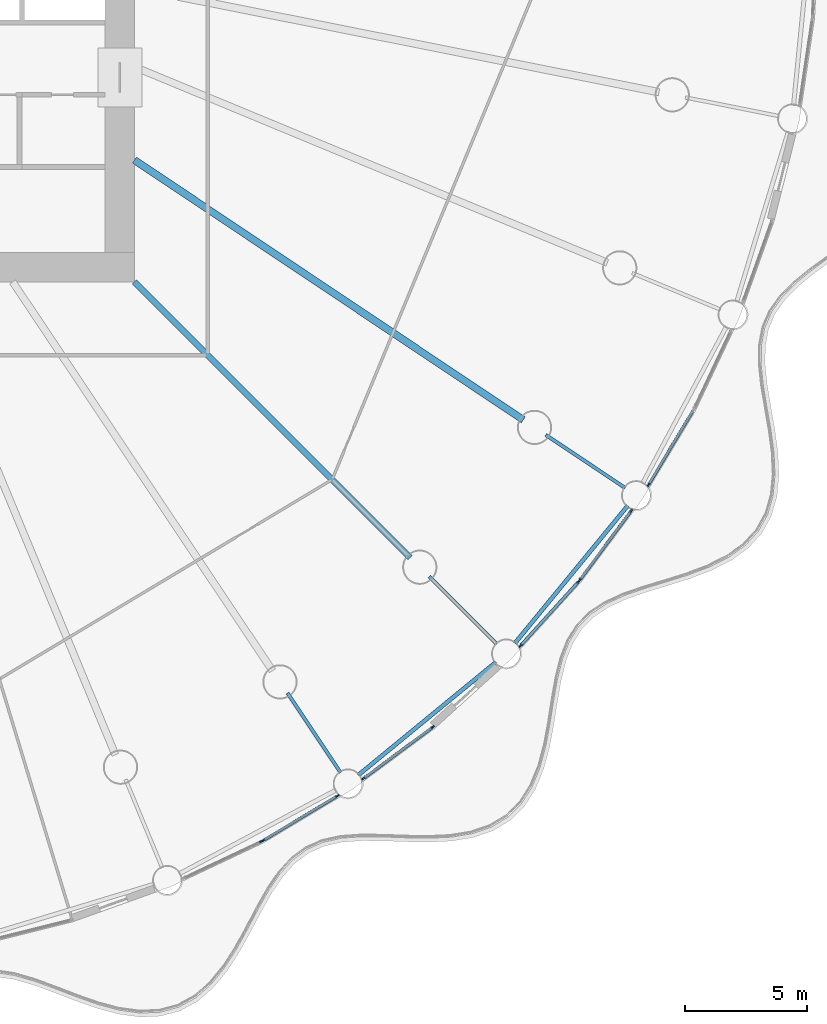
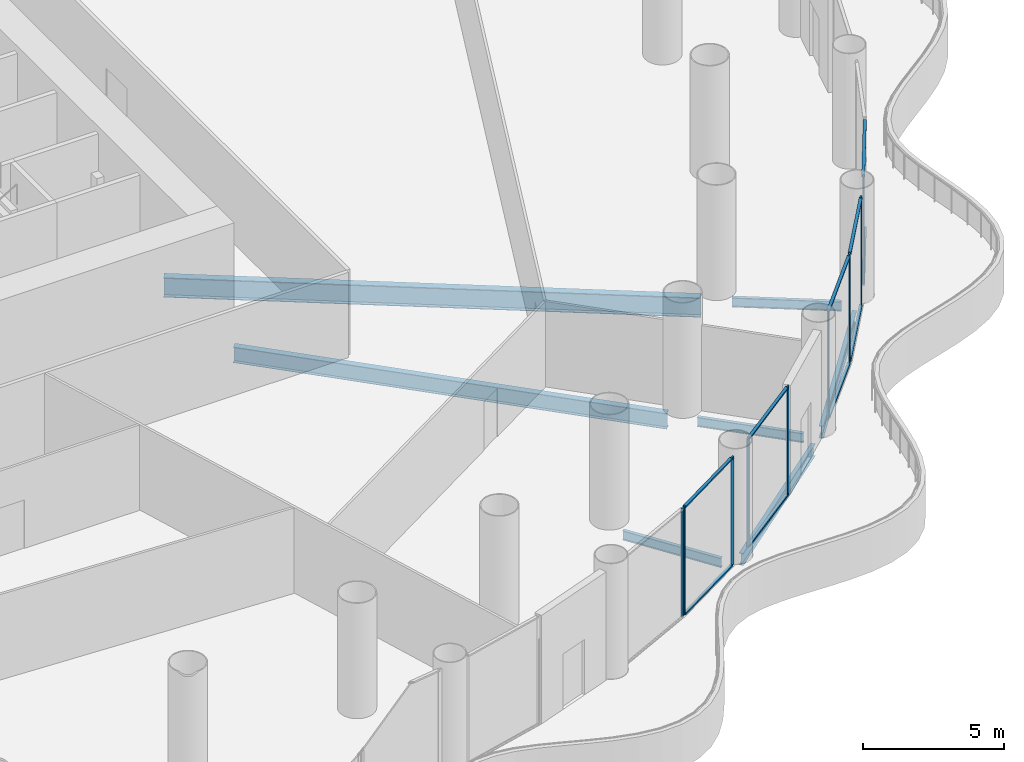
# One storey, part 10 of 35: 20 members, 7 beams, 6 elements without a shape of their own.
"""IFC4 building model written with IfcOpenShell, lengths in metres."""

from ifc_helpers import new_model, si_unit, direction, frame, origin, origin_2d, place, context, subcontext, project, spatial, rectangle, i_section, extrude, material, material_profile, profile_set, type_object, element, aggregate, save


model = new_model("IFC4")

# Units and contexts
model_context = context("Model", 3, precision=1e-05, world=origin(), true_north=direction((0.0, 1.0)))
body_context = subcontext(model_context, "Body", "Model", "MODEL_VIEW")
ifc_project = project(units=[si_unit("LENGTHUNIT", "METRE"), si_unit("AREAUNIT", "SQUARE_METRE"), si_unit("VOLUMEUNIT", "CUBIC_METRE"), si_unit("PLANEANGLEUNIT", "RADIAN"), si_unit("MASSUNIT", "GRAM", prefix="KILO")], contexts=[model_context])

# Site, building, storey
site_placement = place(None, origin())
site = spatial("IfcSite", under=ifc_project, at=site_placement, CompositionType="ELEMENT")
building_placement = place(site_placement, origin())
building = spatial("IfcBuilding", under=site, at=building_placement, Name="Corvane Civic Tower", CompositionType="ELEMENT")
storey_placement = place(building_placement, frame((0.0, 0.0, 27.0)))
storey = spatial("IfcBuildingStorey", under=building, at=storey_placement, Name="L05", CompositionType="ELEMENT", Elevation=27.0)

# Beams
ifc_material_1 = material(Name="Steel ASTM A992 Gr 50", Category="steel")
ifc_material_profile_1 = material_profile(ifc_material_1, i_section(OverallWidth=0.165771484375, OverallDepth=0.5283203125, WebThickness=0.009765625, FlangeThickness=0.013671875, at=origin_2d()), Name="W21X50")
ifc_profile_set_1 = profile_set([ifc_material_profile_1], Name="Steel ASTM A992 Gr 50")
beam_type_1 = type_object("IfcBeamType", Name="EDGE BEAM W21X50", PredefinedType="BEAM", material=ifc_profile_set_1)
for number, where, z_axis, x_axis, name in (
    (1, (35.15478515625, -24.14794921875, -0.564208984375), (-0.634396365205, -0.773007924807, 0.0), (0.773007924807, -0.634396365205, 0.0), "BM-L05-E12"),
    (2, (29.768310546875, -30.542236328125, -0.564208984375), (-0.773007924807, -0.634396365205, 0.0), (0.634396365205, -0.773007924807, 0.0), "BM-L05-E13"),
):
    element("IfcBeam", number, at=place(storey_placement, frame(where, z_axis=z_axis, x_axis=x_axis)), inside=storey, type_object=beam_type_1, Name=name, PredefinedType="BEAM", context=body_context, shape_type="SweptSolid", body=[
        extrude(i_section(OverallWidth=0.165771484375, OverallDepth=0.5283203125, WebThickness=0.009765625, FlangeThickness=0.013671875, at=origin_2d()), origin(), (0.0, 0.0, 1.0), 7.270751953125),
    ])
ifc_material_2 = material(Name="Steel ASTM A992 Gr 50", Category="steel")
ifc_material_profile_2 = material_profile(ifc_material_2, i_section(OverallWidth=0.140380859375, OverallDepth=0.40380859375, WebThickness=0.007080078125, FlangeThickness=0.01123046875, at=origin_2d()), Name="W16X31")
ifc_profile_set_2 = profile_set([ifc_material_profile_2], Name="Steel ASTM A992 Gr 50")
beam_type_2 = type_object("IfcBeamType", Name="FLOOR GIRDER W16X31", PredefinedType="BEAM", material=ifc_profile_set_2)
for number, where, z_axis, x_axis, name in (
    (3, (31.8037109375, -21.25048828125, -0.501953125), (0.831462344301, -0.555581110199, 0.0), (0.555581110199, 0.831462344301, 0.0), "BM-L05-G12b"),
    (4, (27.046875, -27.046875, -0.501953125), (0.707106781187, -0.707106781187, 0.0), (0.707106781187, 0.707106781187, 0.0), "BM-L05-G13b"),
    (5, (21.25048828125, -31.8037109375, -0.501953125), (0.555581110199, -0.831462344301, 0.0), (0.831462344301, 0.555581110199, 0.0), "BM-L05-G14b"),
):
    element("IfcBeam", number, at=place(storey_placement, frame(where, z_axis=z_axis, x_axis=x_axis)), inside=storey, type_object=beam_type_2, Name=name, PredefinedType="BEAM", context=body_context, shape_type="SweptSolid", body=[
        extrude(i_section(OverallWidth=0.140380859375, OverallDepth=0.40380859375, WebThickness=0.007080078125, FlangeThickness=0.01123046875, at=origin_2d()), origin(), (0.0, 0.0, 1.0), 3.89990234375),
    ])
ifc_material_3 = material(Name="Steel ASTM A992 Gr 50", Category="steel")
ifc_material_profile_3 = material_profile(ifc_material_3, i_section(OverallWidth=0.25390625, OverallDepth=0.67822265625, WebThickness=0.01171875, FlangeThickness=0.016357421875, at=origin_2d()), Name="W27X84")
ifc_profile_set_3 = profile_set([ifc_material_profile_3], Name="Steel ASTM A992 Gr 50")
beam_type_3 = type_object("IfcBeamType", Name="FLOOR GIRDER W27X84", PredefinedType="BEAM", material=ifc_profile_set_3)
beam_1_placement = place(storey_placement, frame((15.0, -15.0, -0.63916015625), z_axis=(0.707106781187, -0.707106781187, 0.0), x_axis=(0.707106781187, 0.707106781187, 0.0)))
element("IfcBeam", 6, at=beam_1_placement, inside=storey, type_object=beam_type_3, Name="BM-L05-G13", PredefinedType="BEAM", context=body_context, shape_type="SweptSolid", body=[
    extrude(i_section(OverallWidth=0.25390625, OverallDepth=0.67822265625, WebThickness=0.01171875, FlangeThickness=0.016357421875, at=origin_2d()), origin(), (0.0, 0.0, 1.0), 15.936767578125),
])
ifc_material_4 = material(Name="Steel ASTM A992 Gr 50", Category="steel")
ifc_material_profile_4 = material_profile(ifc_material_4, i_section(OverallWidth=0.2919921875, OverallDepth=0.845703125, WebThickness=0.015380859375, FlangeThickness=0.0244140625, at=origin_2d()), Name="W33X141")
ifc_profile_set_4 = profile_set([ifc_material_profile_4], Name="Steel ASTM A992 Gr 50")
beam_type_4 = type_object("IfcBeamType", Name="FLOOR GIRDER W33X141", PredefinedType="BEAM", material=ifc_profile_set_4)
beam_2_placement = place(storey_placement, frame((15.0, -10.022705078125, -0.722900390625), z_axis=(0.831471985418, -0.555566681385, 0.0), x_axis=(0.555566681385, 0.831471985418, 0.0)))
element("IfcBeam", 7, at=beam_2_placement, inside=storey, type_object=beam_type_4, Name="BM-L05-G12", PredefinedType="BEAM", context=body_context, shape_type="SweptSolid", body=[
    extrude(i_section(OverallWidth=0.2919921875, OverallDepth=0.845703125, WebThickness=0.015380859375, FlangeThickness=0.0244140625, at=origin_2d()), origin(), (0.0, 0.0, 1.0), 19.109619140625),
])

# Curtain wall, member
ifc_material_5 = material(Name="Aluminium and glass", Category="aluminium")
curtain_wall_type = type_object("IfcCurtainWallType", Name="PODIUM-CW-P-RUN", PredefinedType="NOTDEFINED", material=ifc_material_5)
curtain_wall_1_placement = place(storey_placement, origin())
curtain_wall_1 = element("IfcCurtainWall", 8, at=curtain_wall_1_placement, inside=storey, type_object=curtain_wall_type, Name="PODI run L05-drum-11B", PredefinedType="NOTDEFINED")
ifc_material_6 = material(Name="Anodised aluminium bronze", Category="aluminium")
ifc_material_profile_5 = material_profile(ifc_material_6, rectangle(XDim=0.06005859375, YDim=0.159912109375, at=origin_2d()), Name="AL 60x160")
ifc_profile_set_5 = profile_set([ifc_material_profile_5], Name="Anodised aluminium bronze")
member_type_1 = type_object("IfcMemberType", Name="PODIUM-CWP-MULLION-60x160", PredefinedType="MULLION", material=ifc_profile_set_5)
member_1_placement = place(storey_placement, frame((36.010009765625, -23.28564453125, 0.0), z_axis=(0.0, 0.0, 1.0), x_axis=(0.857719609779, -0.514117759857, 0.0)))
member_1 = element("IfcMember", 9, at=member_1_placement, type_object=member_type_1, Name="CW-P mullion 2", PredefinedType="MULLION", context=body_context, shape_type="SweptSolid", body=[
    extrude(rectangle(XDim=0.06005859375, YDim=0.159912109375, at=origin_2d()), origin(), (0.0, 0.0, 1.0), 4.699951171875),
])

# Curtain wall, members
curtain_wall_2_placement = place(storey_placement, origin())
curtain_wall_2 = element("IfcCurtainWall", 10, at=curtain_wall_2_placement, inside=storey, type_object=curtain_wall_type, Name="PODI run L05-drum-12A", PredefinedType="NOTDEFINED")
member_2_placement = place(storey_placement, frame((35.293701171875, -24.35791015625, 0.0), z_axis=(0.0, 0.0, 1.0), x_axis=(0.803203229747, -0.595705104665, 0.0)))
member_2 = element("IfcMember", 11, at=member_2_placement, type_object=member_type_1, Name="CW-P mullion 1", PredefinedType="MULLION", context=body_context, shape_type="SweptSolid", body=[
    extrude(rectangle(XDim=0.06005859375, YDim=0.159912109375, at=origin_2d()), origin(), (0.0, 0.0, 1.0), 4.699951171875),
])
member_3_placement = place(storey_placement, frame((33.197021484375, -27.18505859375, 0.0), z_axis=(0.0, 0.0, 1.0), x_axis=(0.803203229747, -0.595705104665, 0.0)))
member_3 = element("IfcMember", 12, at=member_3_placement, type_object=member_type_1, Name="CW-P mullion 2", PredefinedType="MULLION", context=body_context, shape_type="SweptSolid", body=[
    extrude(rectangle(XDim=0.06005859375, YDim=0.159912109375, at=origin_2d()), origin(), (0.0, 0.0, 1.0), 4.699951171875),
])

curtain_wall_3_placement = place(storey_placement, origin())
curtain_wall_3 = element("IfcCurtainWall", 13, at=curtain_wall_3_placement, inside=storey, type_object=curtain_wall_type, Name="PODI run L05-drum-12B", PredefinedType="NOTDEFINED")
member_4_placement = place(storey_placement, frame((33.13916015625, -27.25537109375, 0.0), z_axis=(0.0, 0.0, 1.0), x_axis=(0.740935261089, -0.671576457952, 0.0)))
member_4 = element("IfcMember", 14, at=member_4_placement, type_object=member_type_1, Name="CW-P mullion 1", PredefinedType="MULLION", context=body_context, shape_type="SweptSolid", body=[
    extrude(rectangle(XDim=0.06005859375, YDim=0.159912109375, at=origin_2d()), origin(), (0.0, 0.0, 1.0), 4.699951171875),
])
member_5_placement = place(storey_placement, frame((30.775390625, -29.863525390625, 0.0), z_axis=(0.0, 0.0, 1.0), x_axis=(0.740935261089, -0.671576457952, 0.0)))
member_5 = element("IfcMember", 15, at=member_5_placement, type_object=member_type_1, Name="CW-P mullion 2", PredefinedType="MULLION", context=body_context, shape_type="SweptSolid", body=[
    extrude(rectangle(XDim=0.06005859375, YDim=0.159912109375, at=origin_2d()), origin(), (0.0, 0.0, 1.0), 4.699951171875),
])

curtain_wall_4_placement = place(storey_placement, origin())
curtain_wall_4 = element("IfcCurtainWall", 16, at=curtain_wall_4_placement, inside=storey, type_object=curtain_wall_type, Name="PODI run L05-drum-13B", PredefinedType="NOTDEFINED")
member_6_placement = place(storey_placement, frame((27.18505859375, -33.197021484375, 0.0), z_axis=(0.0, 0.0, 1.0), x_axis=(0.595705104665, -0.803203229747, 0.0)))
member_6 = element("IfcMember", 17, at=member_6_placement, type_object=member_type_1, Name="CW-P mullion 1", PredefinedType="MULLION", context=body_context, shape_type="SweptSolid", body=[
    extrude(rectangle(XDim=0.06005859375, YDim=0.159912109375, at=origin_2d()), origin(), (0.0, 0.0, 1.0), 4.699951171875),
])
member_7_placement = place(storey_placement, frame((24.35791015625, -35.293701171875, 0.0), z_axis=(0.0, 0.0, 1.0), x_axis=(0.595705104665, -0.803203229747, 0.0)))
member_7 = element("IfcMember", 18, at=member_7_placement, type_object=member_type_1, Name="CW-P mullion 2", PredefinedType="MULLION", context=body_context, shape_type="SweptSolid", body=[
    extrude(rectangle(XDim=0.06005859375, YDim=0.159912109375, at=origin_2d()), origin(), (0.0, 0.0, 1.0), 4.699951171875),
])

curtain_wall_5_placement = place(storey_placement, origin())
curtain_wall_5 = element("IfcCurtainWall", 19, at=curtain_wall_5_placement, inside=storey, type_object=curtain_wall_type, Name="PODI run L05-drum-14A", PredefinedType="NOTDEFINED")
member_8_placement = place(storey_placement, frame((23.28564453125, -36.010009765625, 0.0), z_axis=(0.0, 0.0, 1.0), x_axis=(0.514117759857, -0.857719609779, 0.0)))
member_8 = element("IfcMember", 20, at=member_8_placement, type_object=member_type_1, Name="CW-P mullion 1", PredefinedType="MULLION", context=body_context, shape_type="SweptSolid", body=[
    extrude(rectangle(XDim=0.06005859375, YDim=0.159912109375, at=origin_2d()), origin(), (0.0, 0.0, 1.0), 4.699951171875),
])
member_9_placement = place(storey_placement, frame((20.2666015625, -37.819580078125, 0.0), z_axis=(0.0, 0.0, 1.0), x_axis=(0.514117759857, -0.857719609779, 0.0)))
member_9 = element("IfcMember", 21, at=member_9_placement, type_object=member_type_1, Name="CW-P mullion 2", PredefinedType="MULLION", context=body_context, shape_type="SweptSolid", body=[
    extrude(rectangle(XDim=0.06005859375, YDim=0.159912109375, at=origin_2d()), origin(), (0.0, 0.0, 1.0), 4.699951171875),
])

# Curtain wall, member
curtain_wall_6_placement = place(storey_placement, origin())
curtain_wall_6 = element("IfcCurtainWall", 22, at=curtain_wall_6_placement, inside=storey, type_object=curtain_wall_type, Name="PODI run L05-drum-14B", PredefinedType="NOTDEFINED")
member_10_placement = place(storey_placement, frame((20.186279296875, -37.862548828125, 0.0), z_axis=(0.0, 0.0, 1.0), x_axis=(0.42755312852, -0.903990222454, 0.0)))
member_10 = element("IfcMember", 23, at=member_10_placement, type_object=member_type_1, Name="CW-P mullion 1", PredefinedType="MULLION", context=body_context, shape_type="SweptSolid", body=[
    extrude(rectangle(XDim=0.06005859375, YDim=0.159912109375, at=origin_2d()), origin(), (0.0, 0.0, 1.0), 4.699951171875),
])
aggregate(curtain_wall_6, [member_10])

# Member
ifc_material_7 = material(Name="Anodised aluminium bronze", Category="aluminium")
ifc_material_profile_6 = material_profile(ifc_material_7, rectangle(XDim=0.1201171875, YDim=0.06005859375, at=origin_2d()), Name="AL 120x60")
ifc_profile_set_6 = profile_set([ifc_material_profile_6], Name="Anodised aluminium bronze")
member_type_2 = type_object("IfcMemberType", Name="PODIUM-CWP-TRANSOM-60x120", PredefinedType="USERDEFINED", material=ifc_profile_set_6)
member_11_placement = place(storey_placement, frame((37.80419921875, -20.29248046875, 0.030029296875), z_axis=(-0.514111713099, -0.857723234181, 0.0), x_axis=(0.857723234181, -0.514111713099, 0.0)))
member_11 = element("IfcMember", 24, at=member_11_placement, type_object=member_type_2, Name="CW-P transom 1.1", ObjectType="TRANSOM", PredefinedType="USERDEFINED", context=body_context, shape_type="SweptSolid", body=[
    extrude(rectangle(XDim=0.1201171875, YDim=0.06005859375, at=origin_2d()), origin(), (0.0, 0.0, 1.0), 3.45947265625),
])

member_12_placement = place(storey_placement, frame((37.80419921875, -20.29248046875, 4.669921875), z_axis=(-0.514111713099, -0.857723234181, 0.0), x_axis=(0.857723234181, -0.514111713099, 0.0)))
member_12 = element("IfcMember", 25, at=member_12_placement, type_object=member_type_2, Name="CW-P transom 1.2", ObjectType="TRANSOM", PredefinedType="USERDEFINED", context=body_context, shape_type="SweptSolid", body=[
    extrude(rectangle(XDim=0.1201171875, YDim=0.06005859375, at=origin_2d()), origin(), (0.0, 0.0, 1.0), 3.45947265625),
])

aggregate(curtain_wall_1, [member_1, member_11, member_12])

member_13_placement = place(storey_placement, frame((35.27587890625, -24.382080078125, 0.030029296875), z_axis=(-0.595723591285, -0.803189518598, 0.0), x_axis=(0.803189518598, -0.595723591285, 0.0)))
member_13 = element("IfcMember", 26, at=member_13_placement, type_object=member_type_2, Name="CW-P transom 1.1", ObjectType="TRANSOM", PredefinedType="USERDEFINED", context=body_context, shape_type="SweptSolid", body=[
    extrude(rectangle(XDim=0.1201171875, YDim=0.06005859375, at=origin_2d()), origin(), (0.0, 0.0, 1.0), 3.459716796875),
])

member_14_placement = place(storey_placement, frame((35.27587890625, -24.382080078125, 4.669921875), z_axis=(-0.595723591285, -0.803189518598, 0.0), x_axis=(0.803189518598, -0.595723591285, 0.0)))
member_14 = element("IfcMember", 27, at=member_14_placement, type_object=member_type_2, Name="CW-P transom 1.2", ObjectType="TRANSOM", PredefinedType="USERDEFINED", context=body_context, shape_type="SweptSolid", body=[
    extrude(rectangle(XDim=0.1201171875, YDim=0.06005859375, at=origin_2d()), origin(), (0.0, 0.0, 1.0), 3.459716796875),
])

aggregate(curtain_wall_2, [member_2, member_3, member_13, member_14])

member_15_placement = place(storey_placement, frame((33.119140625, -27.277587890625, 0.030029296875), z_axis=(-0.671576323599, -0.740935382865, 0.0), x_axis=(0.740935382865, -0.671576323599, 0.0)))
member_15 = element("IfcMember", 28, at=member_15_placement, type_object=member_type_2, Name="CW-P transom 1.1", ObjectType="TRANSOM", PredefinedType="USERDEFINED", context=body_context, shape_type="SweptSolid", body=[
    extrude(rectangle(XDim=0.1201171875, YDim=0.06005859375, at=origin_2d()), origin(), (0.0, 0.0, 1.0), 3.460205078125),
])

member_16_placement = place(storey_placement, frame((33.119140625, -27.277587890625, 4.669921875), z_axis=(-0.671576323599, -0.740935382865, 0.0), x_axis=(0.740935382865, -0.671576323599, 0.0)))
member_16 = element("IfcMember", 29, at=member_16_placement, type_object=member_type_2, Name="CW-P transom 1.2", ObjectType="TRANSOM", PredefinedType="USERDEFINED", context=body_context, shape_type="SweptSolid", body=[
    extrude(rectangle(XDim=0.1201171875, YDim=0.06005859375, at=origin_2d()), origin(), (0.0, 0.0, 1.0), 3.460205078125),
])

aggregate(curtain_wall_3, [member_4, member_5, member_15, member_16])

member_17_placement = place(storey_placement, frame((27.160888671875, -33.21484375, 0.030029296875), z_axis=(-0.803189518598, -0.595723591285, 0.0), x_axis=(0.595723591285, -0.803189518598, 0.0)))
member_17 = element("IfcMember", 30, at=member_17_placement, type_object=member_type_2, Name="CW-P transom 1.1", ObjectType="TRANSOM", PredefinedType="USERDEFINED", context=body_context, shape_type="SweptSolid", body=[
    extrude(rectangle(XDim=0.1201171875, YDim=0.06005859375, at=origin_2d()), origin(), (0.0, 0.0, 1.0), 3.459716796875),
])

member_18_placement = place(storey_placement, frame((27.160888671875, -33.21484375, 4.669921875), z_axis=(-0.803189518598, -0.595723591285, 0.0), x_axis=(0.595723591285, -0.803189518598, 0.0)))
member_18 = element("IfcMember", 31, at=member_18_placement, type_object=member_type_2, Name="CW-P transom 1.2", ObjectType="TRANSOM", PredefinedType="USERDEFINED", context=body_context, shape_type="SweptSolid", body=[
    extrude(rectangle(XDim=0.1201171875, YDim=0.06005859375, at=origin_2d()), origin(), (0.0, 0.0, 1.0), 3.459716796875),
])

aggregate(curtain_wall_4, [member_6, member_7, member_17, member_18])

member_19_placement = place(storey_placement, frame((23.259765625, -36.025634765625, 0.030029296875), z_axis=(-0.857723234181, -0.514111713099, 0.0), x_axis=(0.514111713099, -0.857723234181, 0.0)))
member_19 = element("IfcMember", 32, at=member_19_placement, type_object=member_type_2, Name="CW-P transom 1.1", ObjectType="TRANSOM", PredefinedType="USERDEFINED", context=body_context, shape_type="SweptSolid", body=[
    extrude(rectangle(XDim=0.1201171875, YDim=0.06005859375, at=origin_2d()), origin(), (0.0, 0.0, 1.0), 3.45947265625),
])

member_20_placement = place(storey_placement, frame((23.259765625, -36.025634765625, 4.669921875), z_axis=(-0.857723234181, -0.514111713099, 0.0), x_axis=(0.514111713099, -0.857723234181, 0.0)))
member_20 = element("IfcMember", 33, at=member_20_placement, type_object=member_type_2, Name="CW-P transom 1.2", ObjectType="TRANSOM", PredefinedType="USERDEFINED", context=body_context, shape_type="SweptSolid", body=[
    extrude(rectangle(XDim=0.1201171875, YDim=0.06005859375, at=origin_2d()), origin(), (0.0, 0.0, 1.0), 3.45947265625),
])

aggregate(curtain_wall_5, [member_8, member_9, member_19, member_20])

save(model, "model.ifc")
